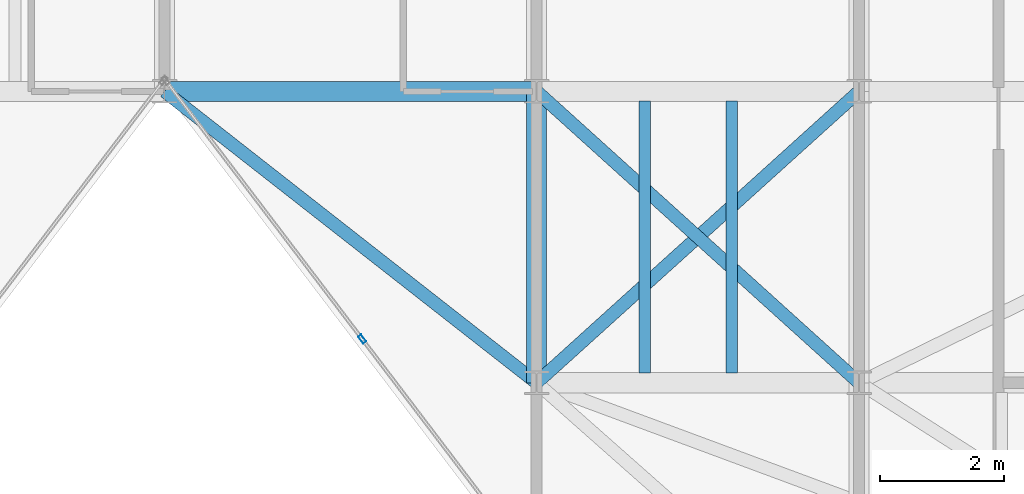
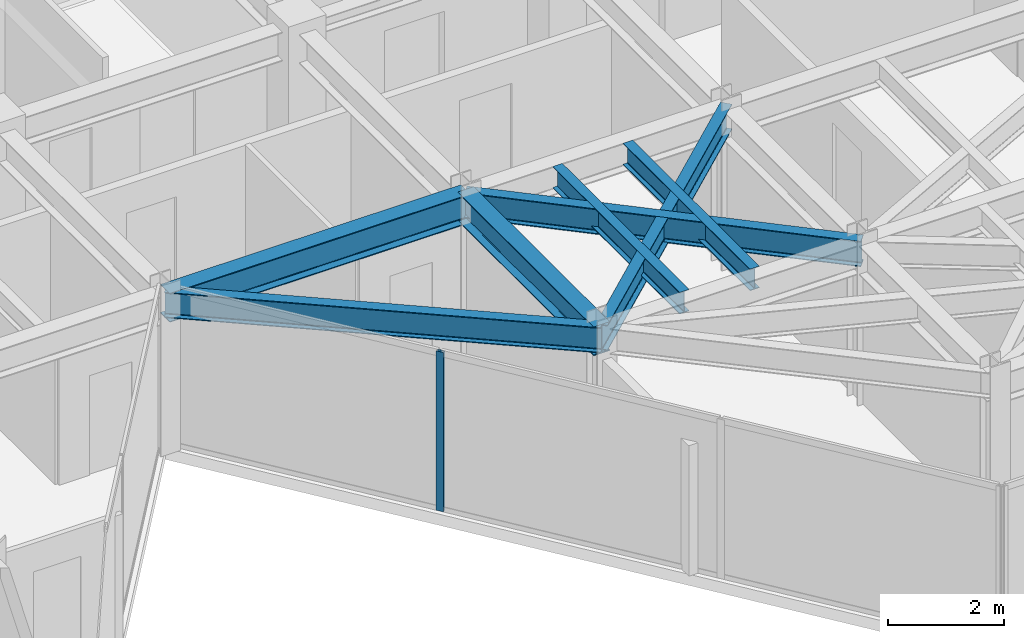
# One storey, part 8 of 17: 7 beams, 1 member, 1 element without a shape of its own.
"""IFC4 building model written with IfcOpenShell, lengths in metres."""

from ifc_helpers import new_model, si_unit, direction, frame, origin, origin_2d, place, context, subcontext, project, spatial, hollow_rectangle, i_section, extrude, material, layer, layer_set, material_profile, profile_set, type_object, element, aggregate, save


model = new_model("IFC4")

# Units and contexts
model_context = context("Model", 3, precision=1e-05, world=origin(), true_north=direction((0.0, 1.0)))
body_context = subcontext(model_context, "Body", "Model", "MODEL_VIEW")
ifc_project = project(units=[si_unit("LENGTHUNIT", "METRE"), si_unit("AREAUNIT", "SQUARE_METRE"), si_unit("VOLUMEUNIT", "CUBIC_METRE"), si_unit("PLANEANGLEUNIT", "RADIAN"), si_unit("MASSUNIT", "GRAM", prefix="KILO")], contexts=[model_context])

# Site, building, storey
site_placement = place(None, origin())
site = spatial("IfcSite", under=ifc_project, at=site_placement, CompositionType="ELEMENT")
building_placement = place(site_placement, origin())
building = spatial("IfcBuilding", under=site, at=building_placement, Name="Kravanh Interchange Tower", CompositionType="ELEMENT")
storey_placement = place(building_placement, frame((0.0, 0.0, 282.300048828125)))
storey = spatial("IfcBuildingStorey", under=building, at=storey_placement, Name="L69", CompositionType="ELEMENT", Elevation=282.300048828125)

# Curtain wall, member
ifc_material_1 = material(Name="Anodised Bronze Aluminium", Category="aluminium")
ifc_layer = layer(ifc_material_1, 0.179931640625)
ifc_layer_set = layer_set([ifc_layer], Name="Unitised Curtain Wall System CW-HTL Luxury Hotel")
curtain_wall_type = type_object("IfcCurtainWallType", Name="Unitised Curtain Wall System CW-HTL Luxury Hotel", PredefinedType="NOTDEFINED", material=ifc_layer_set)
curtain_wall_placement = place(storey_placement, origin())
curtain_wall = element("IfcCurtainWall", 1, at=curtain_wall_placement, inside=storey, type_object=curtain_wall_type, Name="L69 Unitised Curtain Wall CW-L69-04", PredefinedType="NOTDEFINED")
ifc_material_2 = material(Name="Anodised Bronze Aluminium", Category="aluminium")
ifc_material_profile_1 = material_profile(ifc_material_2, hollow_rectangle(XDim=0.06005859375, YDim=0.139892578125, WallThickness=0.00390625, at=origin_2d()), Name="ALU60X140X4")
ifc_profile_set_1 = profile_set([ifc_material_profile_1], Name="Anodised Bronze Aluminium")
member_type = type_object("IfcMemberType", Name="Curtain Wall Mullion ALU60X140X4 Bronze", PredefinedType="MULLION", material=ifc_profile_set_1)
member_placement = place(storey_placement, frame((47.986572265625, 27.505615234375, 0.0), z_axis=(0.0, 0.0, 1.0), x_axis=(-0.79616243806, -0.605082946564, 0.0)))
member = element("IfcMember", 2, at=member_placement, type_object=member_type, Name="CW-HTL mullion 3", PredefinedType="MULLION", context=body_context, shape_type="SweptSolid", body=[
    extrude(hollow_rectangle(XDim=0.06005859375, YDim=0.139892578125, WallThickness=0.00390625, at=origin_2d()), origin(), (0.0, 0.0, 1.0), 3.364990234375),
])
aggregate(curtain_wall, [member])

# Beams
ifc_material_3 = material(Name="Structural Steel S355", Category="steel")
ifc_material_profile_2 = material_profile(ifc_material_3, i_section(OverallWidth=0.323974609375, OverallDepth=0.611083984375, WebThickness=0.0126953125, FlangeThickness=0.01904296875, FilletRadius=0.02197265625, at=origin_2d()), Name="W24X104")
ifc_profile_set_2 = profile_set([ifc_material_profile_2], Name="Structural Steel S355")
beam_type_1 = type_object("IfcBeamType", Name="Floor Beam W24X104 Structural Steel S355", PredefinedType="BEAM", material=ifc_profile_set_2)
beam_1_placement = place(storey_placement, frame((44.800048828125, 31.5, 3.0595703125), z_axis=(1.0, 0.0, 0.0), x_axis=(0.0, 1.0, 0.0)))
element("IfcBeam", 3, at=beam_1_placement, inside=storey, type_object=beam_type_1, Name="L69 Primary Floor Girder 2", PredefinedType="BEAM", context=body_context, shape_type="SweptSolid", body=[
    extrude(i_section(OverallWidth=0.323974609375, OverallDepth=0.611083984375, WebThickness=0.0126953125, FlangeThickness=0.01904296875, FilletRadius=0.02197265625, at=origin_2d()), origin(), (0.0, 0.0, 1.0), 6.0),
])
beam_2_placement = place(storey_placement, frame((50.800048828125, 31.5, 3.0595703125), z_axis=(0.0, -1.0, 0.0), x_axis=(1.0, 0.0, 0.0)))
element("IfcBeam", 4, at=beam_2_placement, inside=storey, type_object=beam_type_1, Name="L69 Primary Floor Girder 5", PredefinedType="BEAM", context=body_context, shape_type="SweptSolid", body=[
    extrude(i_section(OverallWidth=0.323974609375, OverallDepth=0.611083984375, WebThickness=0.0126953125, FlangeThickness=0.01904296875, FilletRadius=0.02197265625, at=origin_2d()), origin(), (0.0, 0.0, 1.0), 4.699951171875),
])
ifc_material_4 = material(Name="Structural Steel S355", Category="steel")
ifc_material_profile_3 = material_profile(ifc_material_4, i_section(OverallWidth=0.18994140625, OverallDepth=0.45703125, WebThickness=0.009033203125, FlangeThickness=0.014404296875, FilletRadius=0.01806640625, at=origin_2d()), Name="W18X50")
ifc_profile_set_3 = profile_set([ifc_material_profile_3], Name="Structural Steel S355")
beam_type_2 = type_object("IfcBeamType", Name="Floor Joist W18X50 Structural Steel S355", PredefinedType="JOIST", material=ifc_profile_set_3)
for number, where, z_axis, x_axis, name in (
    (5, (52.5419921875, 26.95703125, 3.136474609375), (0.0, 1.0, 0.0), (-1.0, 0.0, 0.0), "L69 Secondary Floor Joist 5"),
    (6, (53.946044921875, 26.95703125, 3.136474609375), (0.0, 1.0, 0.0), (-1.0, 0.0, 0.0), "L69 Secondary Floor Joist 6"),
):
    element("IfcBeam", number, at=place(storey_placement, frame(where, z_axis=z_axis, x_axis=x_axis)), inside=storey, type_object=beam_type_2, Name=name, PredefinedType="JOIST", context=body_context, shape_type="SweptSolid", body=[
        extrude(i_section(OverallWidth=0.18994140625, OverallDepth=0.45703125, WebThickness=0.009033203125, FlangeThickness=0.014404296875, FilletRadius=0.01806640625, at=origin_2d()), origin(), (0.0, 0.0, 1.0), 4.385986328125),
    ])
ifc_material_5 = material(Name="Structural Steel S355", Category="steel")
ifc_material_profile_4 = material_profile(ifc_material_5, i_section(OverallWidth=0.2099609375, OverallDepth=0.537109375, WebThickness=0.010986328125, FlangeThickness=0.017333984375, FilletRadius=0.02001953125, at=origin_2d()), Name="W21X68")
ifc_profile_set_4 = profile_set([ifc_material_profile_4], Name="Structural Steel S355")
beam_type_3 = type_object("IfcBeamType", Name="Floor Spandrel W21X68 Structural Steel S355", PredefinedType="SPANDREL", material=ifc_profile_set_4)
beam_3_placement = place(storey_placement, frame((44.800048828125, 31.5, 3.096435546875), z_axis=(0.787231163579, -0.616658004967, 0.0), x_axis=(0.616658004967, 0.787231163579, 0.0)))
element("IfcBeam", 7, at=beam_3_placement, inside=storey, type_object=beam_type_3, Name="L69 Perimeter Spandrel 4", PredefinedType="SPANDREL", context=body_context, shape_type="SweptSolid", body=[
    extrude(i_section(OverallWidth=0.2099609375, OverallDepth=0.537109375, WebThickness=0.010986328125, FlangeThickness=0.017333984375, FilletRadius=0.02001953125, at=origin_2d()), origin(), (0.0, 0.0, 1.0), 7.62158203125),
])
for number, where, z_axis, x_axis, name in (
    (8, (50.800048828125, 31.5, 3.096435546875), (0.741874009795, -0.670539300557, 0.0), (0.670539300557, 0.741874009795, 0.0), "L69 Perimeter Spandrel 8"),
    (9, (56.0, 31.5, 3.096435546875), (-0.741874009795, -0.670539300557, 0.0), (0.670539300557, -0.741874009795, 0.0), "L69 Perimeter Spandrel 11"),
):
    element("IfcBeam", number, at=place(storey_placement, frame(where, z_axis=z_axis, x_axis=x_axis)), inside=storey, type_object=beam_type_3, Name=name, PredefinedType="SPANDREL", context=body_context, shape_type="SweptSolid", body=[
        extrude(i_section(OverallWidth=0.2099609375, OverallDepth=0.537109375, WebThickness=0.010986328125, FlangeThickness=0.017333984375, FilletRadius=0.02001953125, at=origin_2d()), origin(), (0.0, 0.0, 1.0), 7.00927734375),
    ])

save(model, "model.ifc")
